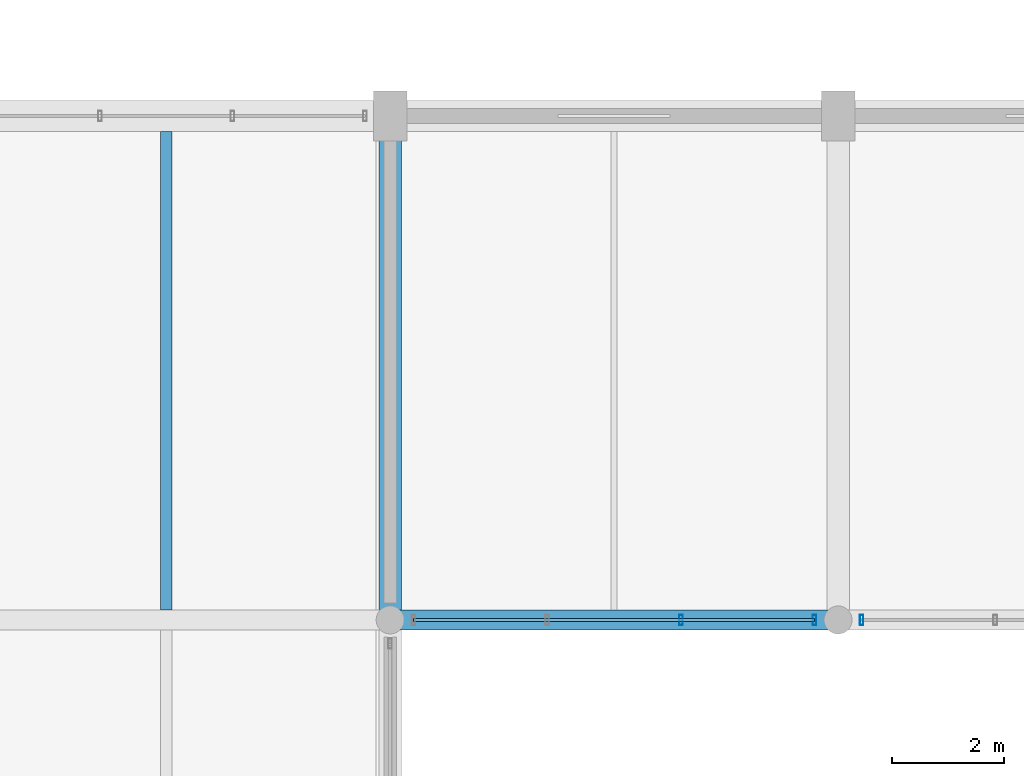
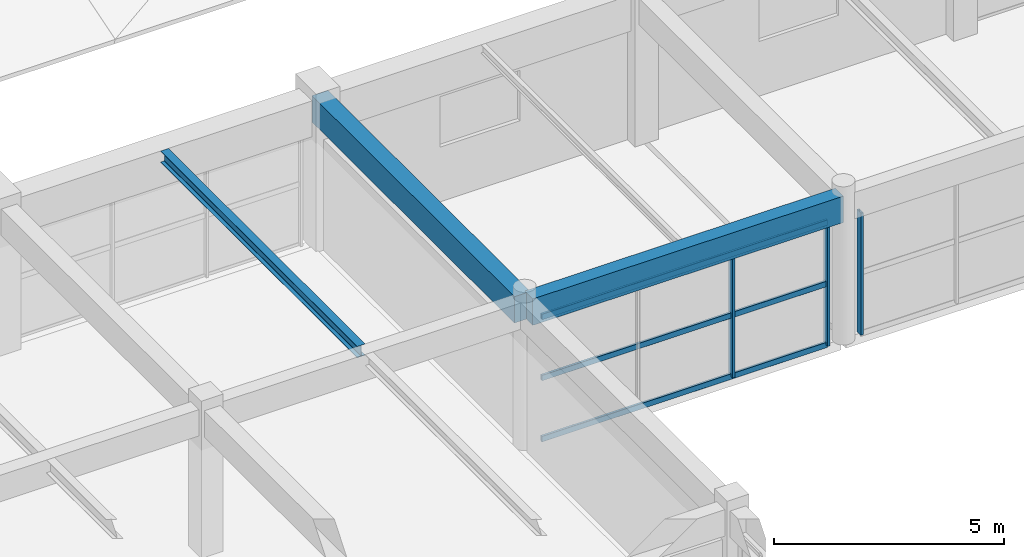
# One storey, part 13 of 63: 6 members, 3 beams, 2 elements without a shape of their own.
"""IFC4 building model written with IfcOpenShell, lengths in metres."""

from ifc_helpers import new_model, si_unit, direction, frame, origin, origin_2d, place, context, subcontext, project, spatial, rectangle, hollow_rectangle, i_section, extrude, material, material_profile, profile_set, type_object, element, aggregate, save


model = new_model("IFC4")

# Units and contexts
model_context = context("Model", 3, precision=1e-05, world=origin(), true_north=direction((0.0, 1.0)))
body_context = subcontext(model_context, "Body", "Model", "MODEL_VIEW")
ifc_project = project(units=[si_unit("LENGTHUNIT", "METRE"), si_unit("AREAUNIT", "SQUARE_METRE"), si_unit("VOLUMEUNIT", "CUBIC_METRE"), si_unit("PLANEANGLEUNIT", "RADIAN"), si_unit("MASSUNIT", "GRAM", prefix="KILO")], contexts=[model_context])

# Site, building, storey
site_placement = place(None, origin())
site = spatial("IfcSite", under=ifc_project, at=site_placement, CompositionType="ELEMENT")
building_placement = place(site_placement, origin())
building = spatial("IfcBuilding", under=site, at=building_placement, Name="Varnabhumi Central Station", CompositionType="ELEMENT")
storey_placement = place(building_placement, frame((0.0, 0.0, 20.39990234375)))
storey = spatial("IfcBuildingStorey", under=building, at=storey_placement, Name="L04", CompositionType="ELEMENT", Elevation=20.39990234375)

# Beams
ifc_material_1 = material(Name="Concrete M40", Category="concrete")
ifc_material_profile_1 = material_profile(ifc_material_1, rectangle(XDim=0.35009765625, YDim=0.699951171875, at=origin_2d()), Name="Concrete M40", Category="concrete")
ifc_profile_set_1 = profile_set([ifc_material_profile_1], Name="Concrete M40")
beam_type_1 = type_object("IfcBeamType", Name="BM-RC-350x700", PredefinedType="BEAM", material=ifc_profile_set_1)
beam_1_placement = place(storey_placement, frame((112.10009765625, 27.0, 3.570068359375), z_axis=(1.0, 0.0, 0.0), x_axis=(0.0, 1.0, 0.0)))
element("IfcBeam", 1, at=beam_1_placement, inside=storey, type_object=beam_type_1, Name="Beam L04-D:15-16", PredefinedType="BEAM", context=body_context, shape_type="SweptSolid", body=[
    extrude(rectangle(XDim=0.35009765625, YDim=0.699951171875, at=origin_2d()), origin(), (0.0, 0.0, 1.0), 7.7998046875),
])
ifc_material_profile_2 = material_profile(ifc_material_1, rectangle(XDim=0.39990234375, YDim=0.699951171875, at=origin_2d()), Name="Concrete M40", Category="concrete")
ifc_profile_set_2 = profile_set([ifc_material_profile_2], Name="Concrete M40")
beam_type_2 = type_object("IfcBeamType", Name="BM-RC-700x400", PredefinedType="BEAM", material=ifc_profile_set_2)
beam_2_placement = place(storey_placement, frame((112.0, 27.10009765625, 3.570068359375), z_axis=(0.0, 1.0, 0.0), x_axis=(-1.0, 0.0, 0.0)))
element("IfcBeam", 2, at=beam_2_placement, inside=storey, type_object=beam_type_2, Name="Beam L04-15:D-E", PredefinedType="BEAM", context=body_context, shape_type="SweptSolid", body=[
    extrude(rectangle(XDim=0.39990234375, YDim=0.699951171875, at=origin_2d()), origin(), (0.0, 0.0, 1.0), 8.7998046875),
])
ifc_material_2 = material(Name="Structural steel E350", Category="steel")
ifc_material_profile_3 = material_profile(ifc_material_2, i_section(OverallWidth=0.199951171875, OverallDepth=0.300048828125, WebThickness=0.00732421875, FlangeThickness=0.010009765625, FilletRadius=0.010986328125, at=origin_2d()), Name="Structural steel E350", Category="steel")
ifc_profile_set_3 = profile_set([ifc_material_profile_3], Name="Structural steel E350")
beam_type_3 = type_object("IfcBeamType", Name="BM-STL-ISWB300", PredefinedType="JOIST", material=ifc_profile_set_3)
beam_3_placement = place(storey_placement, frame((108.0, 27.175048828125, 3.77001953125), z_axis=(0.0, 1.0, 0.0), x_axis=(-1.0, 0.0, 0.0)))
element("IfcBeam", 3, at=beam_3_placement, inside=storey, type_object=beam_type_3, Name="Secondary Joist L04-14/15:D-E", PredefinedType="JOIST", context=body_context, shape_type="SweptSolid", body=[
    extrude(i_section(OverallWidth=0.199951171875, OverallDepth=0.300048828125, WebThickness=0.00732421875, FlangeThickness=0.010009765625, FilletRadius=0.010986328125, at=origin_2d()), origin(), (0.0, 0.0, 1.0), 8.550048828125),
])

# Curtain wall, members
ifc_material_3 = material(Name="Anodised aluminium 6063-T6", Category="aluminium")
curtain_wall_type = type_object("IfcCurtainWallType", Name="CW-PATIO-LOGGIA-L3", PredefinedType="NOTDEFINED", material=ifc_material_3)
curtain_wall_1_placement = place(storey_placement, origin())
curtain_wall_1 = element("IfcCurtainWall", 4, at=curtain_wall_1_placement, inside=storey, type_object=curtain_wall_type, Name="Curtain Wall CW-SP4N1", PredefinedType="NOTDEFINED")
ifc_material_profile_4 = material_profile(ifc_material_3, hollow_rectangle(XDim=0.06494140625, YDim=0.179931640625, WallThickness=0.00390625, InnerFilletRadius=0.001953125, OuterFilletRadius=0.006103515625, at=origin_2d()), Name="Anodised aluminium 6063-T6", Category="aluminium")
ifc_profile_set_4 = profile_set([ifc_material_profile_4], Name="Anodised aluminium 6063-T6")
member_type_1 = type_object("IfcMemberType", Name="CW-MUL-180", PredefinedType="MULLION", material=ifc_profile_set_4)
member_1_placement = place(storey_placement, frame((117.193359375, 27.0, 0.0), z_axis=(0.0, 0.0, 1.0), x_axis=(1.0, 0.0, 0.0)))
member_1 = element("IfcMember", 5, at=member_1_placement, type_object=member_type_1, Name="Curtain Wall Mullion CW-SP4N1-M3", PredefinedType="MULLION", context=body_context, shape_type="SweptSolid", body=[
    extrude(hollow_rectangle(XDim=0.06494140625, YDim=0.179931640625, WallThickness=0.00390625, InnerFilletRadius=0.001953125, OuterFilletRadius=0.006103515625, at=origin_2d()), origin(), (0.0, 0.0, 1.0), 3.239990234375),
])
member_2_placement = place(storey_placement, frame((119.580078125, 27.0, 0.0), z_axis=(0.0, 0.0, 1.0), x_axis=(1.0, 0.0, 0.0)))
member_2 = element("IfcMember", 6, at=member_2_placement, type_object=member_type_1, Name="Curtain Wall Mullion CW-SP4N1-M4", PredefinedType="MULLION", context=body_context, shape_type="SweptSolid", body=[
    extrude(hollow_rectangle(XDim=0.06494140625, YDim=0.179931640625, WallThickness=0.00390625, InnerFilletRadius=0.001953125, OuterFilletRadius=0.006103515625, at=origin_2d()), origin(), (0.0, 0.0, 1.0), 3.239990234375),
])

# Curtain wall, member
curtain_wall_2_placement = place(storey_placement, origin())
curtain_wall_2 = element("IfcCurtainWall", 7, at=curtain_wall_2_placement, inside=storey, type_object=curtain_wall_type, Name="Curtain Wall CW-SP4N2", PredefinedType="NOTDEFINED")
member_3_placement = place(storey_placement, frame((120.419921875, 27.0, 0.0), z_axis=(0.0, 0.0, 1.0), x_axis=(1.0, 0.0, 0.0)))
member_3 = element("IfcMember", 8, at=member_3_placement, type_object=member_type_1, Name="Curtain Wall Mullion CW-SP4N2-M1", PredefinedType="MULLION", context=body_context, shape_type="SweptSolid", body=[
    extrude(hollow_rectangle(XDim=0.06494140625, YDim=0.179931640625, WallThickness=0.00390625, InnerFilletRadius=0.001953125, OuterFilletRadius=0.006103515625, at=origin_2d()), origin(), (0.0, 0.0, 1.0), 3.239990234375),
])
aggregate(curtain_wall_2, [member_3])

# Member
ifc_material_profile_5 = material_profile(ifc_material_3, hollow_rectangle(XDim=0.06005859375, YDim=0.14990234375, WallThickness=0.00390625, InnerFilletRadius=0.001953125, OuterFilletRadius=0.006103515625, at=origin_2d()), Name="Anodised aluminium 6063-T6", Category="aluminium")
ifc_profile_set_5 = profile_set([ifc_material_profile_5], Name="Anodised aluminium 6063-T6")
member_type_2 = type_object("IfcMemberType", Name="CW-TR-150", PredefinedType="USERDEFINED", material=ifc_profile_set_5)
member_4_placement = place(storey_placement, frame((112.419921875, 27.0, 0.0), z_axis=(1.0, 0.0, 0.0), x_axis=(0.0, 1.0, 0.0)))
member_4 = element("IfcMember", 9, at=member_4_placement, type_object=member_type_2, Name="Curtain Wall Transom CW-SP4N1-T1", ObjectType="TRANSOM", PredefinedType="USERDEFINED", context=body_context, shape_type="SweptSolid", body=[
    extrude(hollow_rectangle(XDim=0.06005859375, YDim=0.14990234375, WallThickness=0.00390625, InnerFilletRadius=0.001953125, OuterFilletRadius=0.006103515625, at=origin_2d()), origin(), (0.0, 0.0, 1.0), 7.16015625),
])

member_5_placement = place(storey_placement, frame((112.419921875, 27.0, 1.6201171875), z_axis=(1.0, 0.0, 0.0), x_axis=(0.0, 1.0, 0.0)))
member_5 = element("IfcMember", 10, at=member_5_placement, type_object=member_type_2, Name="Curtain Wall Transom CW-SP4N1-T2", ObjectType="TRANSOM", PredefinedType="USERDEFINED", context=body_context, shape_type="SweptSolid", body=[
    extrude(hollow_rectangle(XDim=0.06005859375, YDim=0.14990234375, WallThickness=0.00390625, InnerFilletRadius=0.001953125, OuterFilletRadius=0.006103515625, at=origin_2d()), origin(), (0.0, 0.0, 1.0), 7.16015625),
])

member_6_placement = place(storey_placement, frame((112.419921875, 27.0, 3.239990234375), z_axis=(1.0, 0.0, 0.0), x_axis=(0.0, 1.0, 0.0)))
member_6 = element("IfcMember", 11, at=member_6_placement, type_object=member_type_2, Name="Curtain Wall Transom CW-SP4N1-T3", ObjectType="TRANSOM", PredefinedType="USERDEFINED", context=body_context, shape_type="SweptSolid", body=[
    extrude(hollow_rectangle(XDim=0.06005859375, YDim=0.14990234375, WallThickness=0.00390625, InnerFilletRadius=0.001953125, OuterFilletRadius=0.006103515625, at=origin_2d()), origin(), (0.0, 0.0, 1.0), 7.16015625),
])

aggregate(curtain_wall_1, [member_1, member_2, member_4, member_5, member_6])

save(model, "model.ifc")
